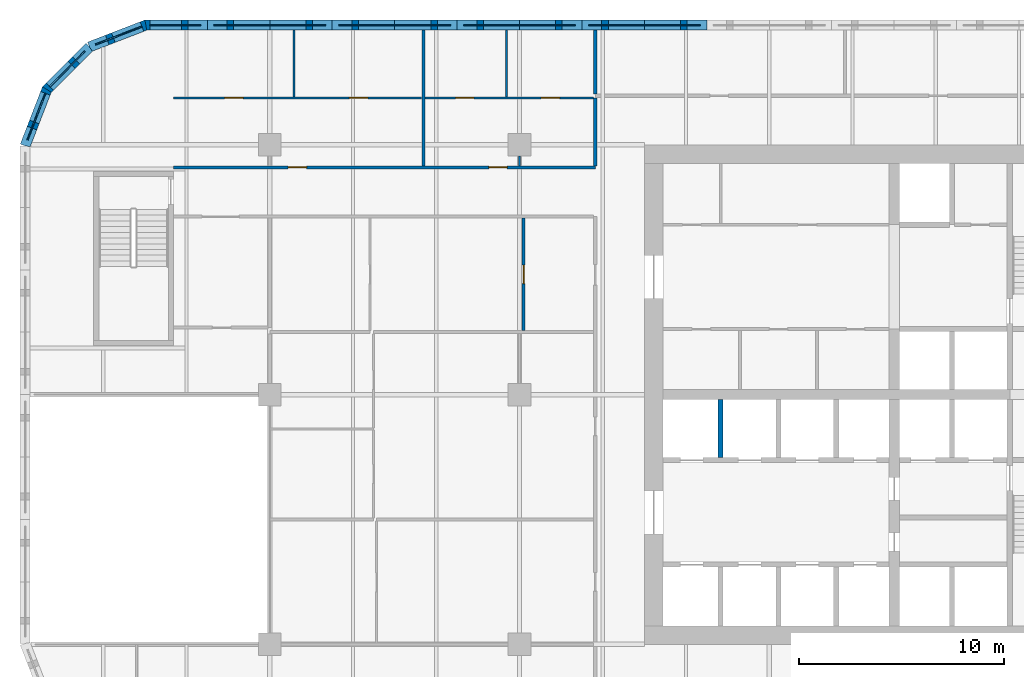
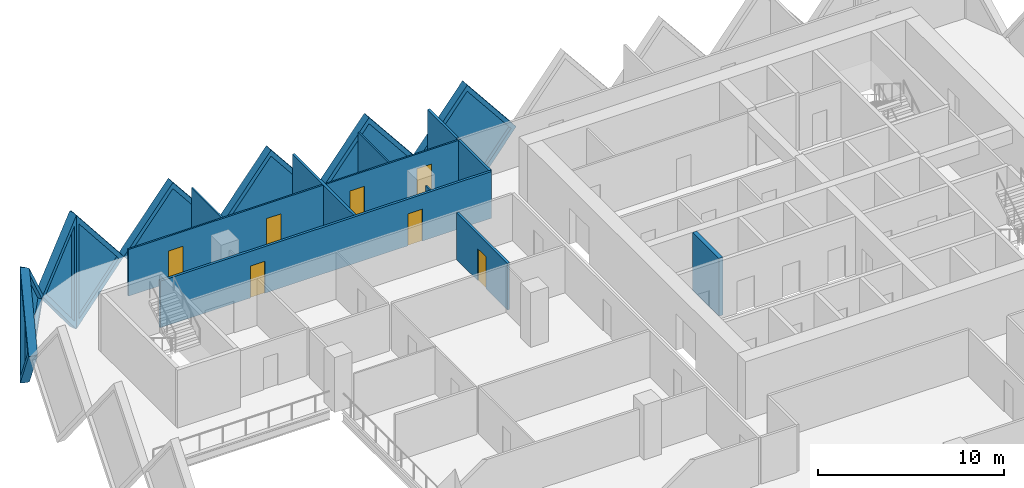
# One storey, part 8 of 18: 19 walls, 8 plates, 7 doors, 15 openings.
"""IFC4 building model written with IfcOpenShell, lengths in metres."""

from ifc_helpers import new_model, si_unit, direction, frame, frame_2d, origin, place, context, subcontext, project, spatial, polyline, rectangle, outline, extrude, faceted_brep, source, transform, mapped, material, layer, layer_set, type_object, element, fill, save


model = new_model("IFC4")

# Units and contexts
model_context = context("Model", 3, precision=1e-05, world=origin(), true_north=direction((0.0, 1.0)))
body_context = subcontext(model_context, "Body", "Model", "MODEL_VIEW")
ifc_project = project(units=[si_unit("LENGTHUNIT", "METRE"), si_unit("AREAUNIT", "SQUARE_METRE"), si_unit("VOLUMEUNIT", "CUBIC_METRE"), si_unit("PLANEANGLEUNIT", "RADIAN"), si_unit("MASSUNIT", "GRAM", prefix="KILO")], contexts=[model_context])

# Site, building, storey
site_placement = place(None, origin())
site = spatial("IfcSite", under=ifc_project, at=site_placement, CompositionType="ELEMENT")
building_placement = place(site_placement, origin())
building = spatial("IfcBuilding", under=site, at=building_placement, Name="Tessera Gate Towers", CompositionType="ELEMENT")
storey_placement = place(building_placement, frame((0.0, 0.0, 56.199951171875)))
storey = spatial("IfcBuildingStorey", under=building, at=storey_placement, Name="L13", CompositionType="ELEMENT", Elevation=56.199951171875)

# Wall
ifc_material_1 = material(Name="Concrete C40/50", Category="concrete")
ifc_layer_1 = layer(ifc_material_1, 0.25)
ifc_layer_set_1 = layer_set([ifc_layer_1], Name="CORE ENCLOSURE WALL 250")
wall_type_1 = type_object("IfcWallType", Name="CORE ENCLOSURE WALL 250", PredefinedType="SOLIDWALL", material=ifc_layer_set_1)
wall_1_placement = place(storey_placement, frame((34.22509765625, 33.52490234375, 0.0), z_axis=(0.0, 0.0, 1.0), x_axis=(0.0, 1.0, 0.0)))
element("IfcWall", 1, at=wall_1_placement, inside=storey, type_object=wall_type_1, Name="L13 shaft and stair enclosure wall", PredefinedType="SOLIDWALL", context=body_context, shape_type="SweptSolid", body=[
    extrude(rectangle(XDim=2.8251953125, YDim=0.25, at=frame_2d((1.41259765625, 0.0))), origin(), (0.0, 0.0, 1.0), 3.800048828125),
])

# Wall, openings, doors
ifc_material_2 = material(Name="Gypsum board on steel studs, mineral wool", Category="steel")
ifc_layer_2 = layer(ifc_material_2, 0.14990234375)
ifc_layer_set_2 = layer_set([ifc_layer_2], Name="CORRIDOR WALL 150")
wall_type_2 = type_object("IfcWallType", Name="CORRIDOR WALL 150", PredefinedType="PARTITIONING", material=ifc_layer_set_2)
wall_2_placement = place(storey_placement, frame((7.5, 47.699951171875, 0.0), z_axis=(0.0, 0.0, 1.0), x_axis=(1.0, 0.0, 0.0)))
wall_2 = element("IfcWall", 2, at=wall_2_placement, inside=storey, type_object=wall_type_2, Name="T1-L13-PW-038", PredefinedType="PARTITIONING", context=body_context, shape_type="SweptSolid", body=[
    extrude(rectangle(XDim=20.60009765625, YDim=0.14990234375, at=frame_2d((10.300048828125, 0.0))), origin(), (0.0, 0.0, 1.0), 3.067138671875),
])
shared_shape_1 = source(origin(), body_context, "Body", "SweptSolid", [
    extrude(rectangle(XDim=0.89990234375, YDim=2.10009765625, at=frame_2d((0.449951171875, 1.050048828125))), frame((0.0, 0.0849609375, 0.0), z_axis=(0.0, -1.0, 0.0), x_axis=(1.0, 0.0, 0.0)), (0.0, 0.0, 1.0), 0.169921875),
])
opening_1_placement = place(wall_2_placement, frame((15.40087890625, 0.0, 0.0)))
opening_1 = element("IfcOpeningElement", 3, at=opening_1_placement, cuts=wall_2, Name="Opening D890FD60-A05-03", PredefinedType="OPENING", context=body_context, shape_type="MappedRepresentation", body=[
    mapped(shared_shape_1, transform((0.0, 0.0, 0.0), scale=1.0)),
])
opening_2_placement = place(wall_2_placement, frame((5.60009765625, 0.0, 0.0)))
opening_2 = element("IfcOpeningElement", 4, at=opening_2_placement, cuts=wall_2, Name="Opening D890FD60-A05-10", PredefinedType="OPENING", context=body_context, shape_type="MappedRepresentation", body=[
    mapped(shared_shape_1, transform((0.0, 0.0, 0.0), scale=1.0)),
])
ifc_material_3 = material(Name="Timber door leaf in steel frame", Category="steel")
door_type_1 = type_object("IfcDoorType", Name="CORRIDOR DOOR 900 FD60", OperationType="NOTDEFINED", PredefinedType="DOOR", material=ifc_material_3)
shared_shape_2 = source(origin(), body_context, "Body", "SweptSolid", [
    extrude(rectangle(XDim=0.89990234375, YDim=2.10009765625, at=frame_2d((0.449951171875, 1.050048828125))), frame((0.0, 0.02490234375, 0.0), z_axis=(0.0, -1.0, 0.0), x_axis=(1.0, 0.0, 0.0)), (0.0, 0.0, 1.0), 0.050048828125),
])
door_1_placement = place(opening_1_placement, origin())
door_1 = element("IfcDoor", 5, at=door_1_placement, inside=storey, type_object=door_type_1, Name="T1-L13-PD-020", OperationType="SINGLE_SWING_RIGHT", OverallHeight=2.10009765625, OverallWidth=0.89990234375, PredefinedType="DOOR", context=body_context, shape_type="MappedRepresentation", body=[
    mapped(shared_shape_2, transform((0.0, 0.0, 0.0), scale=1.0)),
])
fill(opening_1, door_1)
door_2_placement = place(opening_2_placement, origin())
door_2 = element("IfcDoor", 6, at=door_2_placement, inside=storey, type_object=door_type_1, Name="T1-L13-PD-029", OperationType="SINGLE_SWING_LEFT", OverallHeight=2.10009765625, OverallWidth=0.89990234375, PredefinedType="DOOR", context=body_context, shape_type="MappedRepresentation", body=[
    mapped(shared_shape_2, transform((0.0, 0.0, 0.0), scale=1.0)),
])
fill(opening_2, door_2)

# Walls
wall_3_placement = place(storey_placement, frame((28.10009765625, 47.77587890625, 0.0), z_axis=(0.0, 0.0, 1.0), x_axis=(0.0, 1.0, 0.0)))
element("IfcWall", 7, at=wall_3_placement, inside=storey, type_object=wall_type_2, Name="T1-L13-PW-040", PredefinedType="PARTITIONING", context=body_context, shape_type="SweptSolid", body=[
    extrude(rectangle(XDim=3.32421875, YDim=0.14990234375, at=frame_2d((1.662109375, 0.0))), origin(), (0.0, 0.0, 1.0), 3.067138671875),
])
ifc_material_4 = material(Name="Gypsum board on steel studs", Category="steel")
ifc_layer_3 = layer(ifc_material_4, 0.10009765625)
ifc_layer_set_3 = layer_set([ifc_layer_3], Name="PARTITION 100")
wall_type_3 = type_object("IfcWallType", Name="PARTITION 100", PredefinedType="PARTITIONING", material=ifc_layer_set_3)
wall_4_placement = place(storey_placement, frame((24.39990234375, 48.25, 0.0), z_axis=(0.0, 0.0, 1.0), x_axis=(0.0, -1.0, 0.0)))
element("IfcWall", 8, at=wall_4_placement, inside=storey, type_object=wall_type_3, Name="T1-L13-PW-042", PredefinedType="PARTITIONING", context=body_context, shape_type="SweptSolid", body=[
    extrude(rectangle(XDim=0.47509765625, YDim=0.10009765625, at=frame_2d((0.237548828125, 0.0))), origin(), (0.0, 0.0, 1.0), 3.067138671875),
])

# Wall, openings, doors
wall_5_placement = place(storey_placement, frame((7.5, 51.10009765625, 0.0), z_axis=(0.0, 0.0, 1.0), x_axis=(1.0, 0.0, 0.0)))
wall_5 = element("IfcWall", 9, at=wall_5_placement, inside=storey, type_object=wall_type_3, Name="T1-L13-PW-043", PredefinedType="PARTITIONING", context=body_context, shape_type="SweptSolid", body=[
    extrude(rectangle(XDim=12.1240234375, YDim=0.10009765625, at=frame_2d((6.06201171875, 0.0))), origin(), (0.0, 0.0, 1.0), 3.067138671875),
])
shared_shape_3 = source(origin(), body_context, "Body", "SweptSolid", [
    extrude(rectangle(XDim=0.89990234375, YDim=2.10009765625, at=frame_2d((0.449951171875, 1.050048828125))), frame((0.0, 0.06005859375, 0.0), z_axis=(0.0, -1.0, 0.0), x_axis=(1.0, 0.0, 0.0)), (0.0, 0.0, 1.0), 0.1201171875),
])
opening_3_placement = place(wall_5_placement, frame((2.5, 0.0, 0.0)))
opening_3 = element("IfcOpeningElement", 10, at=opening_3_placement, cuts=wall_5, Name="Opening D190-A05-08", PredefinedType="OPENING", context=body_context, shape_type="MappedRepresentation", body=[
    mapped(shared_shape_3, transform((0.0, 0.0, 0.0), scale=1.0)),
])
opening_4_placement = place(wall_5_placement, frame((8.59375, 0.0, 0.0)))
opening_4 = element("IfcOpeningElement", 11, at=opening_4_placement, cuts=wall_5, Name="Opening D190-A05-10", PredefinedType="OPENING", context=body_context, shape_type="MappedRepresentation", body=[
    mapped(shared_shape_3, transform((0.0, 0.0, 0.0), scale=1.0)),
])
ifc_material_5 = material(Name="Timber door leaf in steel frame", Category="steel")
door_type_2 = type_object("IfcDoorType", Name="INTERNAL DOOR 900 NOT RATED", OperationType="NOTDEFINED", PredefinedType="DOOR", material=ifc_material_5)
door_3_placement = place(opening_3_placement, origin())
door_3 = element("IfcDoor", 12, at=door_3_placement, inside=storey, type_object=door_type_2, Name="T1-L13-PD-012", OperationType="SINGLE_SWING_LEFT", OverallHeight=2.10009765625, OverallWidth=0.89990234375, PredefinedType="DOOR", context=body_context, shape_type="MappedRepresentation", body=[
    mapped(shared_shape_2, transform((0.0, 0.0, 0.0), scale=1.0)),
])
fill(opening_3, door_3)
door_4_placement = place(opening_4_placement, origin())
door_4 = element("IfcDoor", 13, at=door_4_placement, inside=storey, type_object=door_type_2, Name="T1-L13-PD-016", OperationType="SINGLE_SWING_LEFT", OverallHeight=2.10009765625, OverallWidth=0.89990234375, PredefinedType="DOOR", context=body_context, shape_type="MappedRepresentation", body=[
    mapped(shared_shape_2, transform((0.0, 0.0, 0.0), scale=1.0)),
])
fill(opening_4, door_4)

wall_6_placement = place(storey_placement, frame((19.77587890625, 51.10009765625, 0.0), z_axis=(0.0, 0.0, 1.0), x_axis=(1.0, 0.0, 0.0)))
wall_6 = element("IfcWall", 14, at=wall_6_placement, inside=storey, type_object=wall_type_3, Name="T1-L13-PW-044", PredefinedType="PARTITIONING", context=body_context, shape_type="SweptSolid", body=[
    extrude(rectangle(XDim=8.248046875, YDim=0.10009765625, at=frame_2d((4.1240234375, 0.0))), origin(), (0.0, 0.0, 1.0), 3.067138671875),
])
opening_5_placement = place(wall_6_placement, frame((1.5, 0.0, 0.0)))
opening_5 = element("IfcOpeningElement", 15, at=opening_5_placement, cuts=wall_6, Name="Opening D190-A05-01", PredefinedType="OPENING", context=body_context, shape_type="MappedRepresentation", body=[
    mapped(shared_shape_3, transform((0.0, 0.0, 0.0), scale=1.0)),
])
opening_6_placement = place(wall_6_placement, frame((5.681884765625, 0.0, 0.0)))
opening_6 = element("IfcOpeningElement", 16, at=opening_6_placement, cuts=wall_6, Name="Opening D190-A05-02", PredefinedType="OPENING", context=body_context, shape_type="MappedRepresentation", body=[
    mapped(shared_shape_3, transform((0.0, 0.0, 0.0), scale=1.0)),
])
door_5_placement = place(opening_5_placement, origin())
door_5 = element("IfcDoor", 17, at=door_5_placement, inside=storey, type_object=door_type_2, Name="T1-L13-PD-002", OperationType="SINGLE_SWING_LEFT", OverallHeight=2.10009765625, OverallWidth=0.89990234375, PredefinedType="DOOR", context=body_context, shape_type="MappedRepresentation", body=[
    mapped(shared_shape_2, transform((0.0, 0.0, 0.0), scale=1.0)),
])
fill(opening_5, door_5)
door_6_placement = place(opening_6_placement, origin())
door_6 = element("IfcDoor", 18, at=door_6_placement, inside=storey, type_object=door_type_2, Name="T1-L13-PD-003", OperationType="SINGLE_SWING_LEFT", OverallHeight=2.10009765625, OverallWidth=0.89990234375, PredefinedType="DOOR", context=body_context, shape_type="MappedRepresentation", body=[
    mapped(shared_shape_2, transform((0.0, 0.0, 0.0), scale=1.0)),
])
fill(opening_6, door_6)

# Walls
for number, where, z_axis, x_axis, name in (
    (19, (13.39404296875, 51.15087890625, 0.0), (0.0, 0.0, 1.0), (0.0, 1.0, 0.0), "T1-L13-PW-045"),
    (20, (23.758056640625, 51.15087890625, 0.0), (0.0, 0.0, 1.0), (0.0, 1.0, 0.0), "T1-L13-PW-046"),
):
    element("IfcWall", number, at=place(storey_placement, frame(where, z_axis=z_axis, x_axis=x_axis)), inside=storey, type_object=wall_type_3, Name=name, PredefinedType="PARTITIONING", context=body_context, shape_type="SweptSolid", body=[
        extrude(rectangle(XDim=3.2490234375, YDim=0.10009765625, at=frame_2d((1.62451171875, 0.0))), origin(), (0.0, 0.0, 1.0), 3.067138671875),
    ])

# Wall, opening, door
ifc_material_6 = material(Name="Gypsum board on steel studs, mineral wool", Category="steel")
ifc_layer_4 = layer(ifc_material_6, 0.14990234375)
ifc_layer_set_4 = layer_set([ifc_layer_4], Name="TENANCY WALL 150")
wall_type_4 = type_object("IfcWallType", Name="TENANCY WALL 150", PredefinedType="PARTITIONING", material=ifc_layer_set_4)
wall_7_placement = place(storey_placement, frame((24.60009765625, 39.72607421875, 0.0), z_axis=(0.0, 0.0, 1.0), x_axis=(0.0, 1.0, 0.0)))
wall_7 = element("IfcWall", 21, at=wall_7_placement, inside=storey, type_object=wall_type_4, Name="T1-L13-PW-034", PredefinedType="PARTITIONING", context=body_context, shape_type="SweptSolid", body=[
    extrude(rectangle(XDim=5.498046875, YDim=0.14990234375, at=frame_2d((2.7490234375, 0.0))), origin(), (0.0, 0.0, 1.0), 3.067138671875),
])
opening_7_placement = place(wall_7_placement, frame((2.300048828125, 0.0, 0.0)))
opening_7 = element("IfcOpeningElement", 22, at=opening_7_placement, cuts=wall_7, Name="Opening D190-A05-06", PredefinedType="OPENING", context=body_context, shape_type="MappedRepresentation", body=[
    mapped(shared_shape_1, transform((0.0, 0.0, 0.0), scale=1.0)),
])
door_7_placement = place(opening_7_placement, origin())
door_7 = element("IfcDoor", 23, at=door_7_placement, inside=storey, type_object=door_type_2, Name="T1-L13-PD-009", OperationType="SINGLE_SWING_LEFT", OverallHeight=2.10009765625, OverallWidth=0.89990234375, PredefinedType="DOOR", context=body_context, shape_type="MappedRepresentation", body=[
    mapped(shared_shape_2, transform((0.0, 0.0, 0.0), scale=1.0)),
])
fill(opening_7, door_7)

# Walls
wall_8_placement = place(storey_placement, frame((19.699951171875, 47.77587890625, 0.0), z_axis=(0.0, 0.0, 1.0), x_axis=(0.0, 1.0, 0.0)))
element("IfcWall", 24, at=wall_8_placement, inside=storey, type_object=wall_type_4, Name="T1-L13-PW-039", PredefinedType="PARTITIONING", context=body_context, shape_type="SweptSolid", body=[
    extrude(rectangle(XDim=6.6240234375, YDim=0.14990234375, at=frame_2d((3.31201171875, 0.0))), origin(), (0.0, 0.0, 1.0), 3.067138671875),
])
wall_9_placement = place(storey_placement, frame((28.10009765625, 51.27587890625, 0.0), z_axis=(0.0, 0.0, 1.0), x_axis=(0.0, 1.0, 0.0)))
element("IfcWall", 25, at=wall_9_placement, inside=storey, type_object=wall_type_4, Name="T1-L13-PW-048", PredefinedType="PARTITIONING", context=body_context, shape_type="SweptSolid", body=[
    extrude(rectangle(XDim=3.1240234375, YDim=0.14990234375, at=frame_2d((1.56201171875, 0.0))), origin(), (0.0, 0.0, 1.0), 3.067138671875),
])

# Wall, opening, plate
ifc_material_7 = material(Name="Precast concrete C60/75 white", Category="concrete")
ifc_layer_5 = layer(ifc_material_7, 0.5)
ifc_layer_set_5 = layer_set([ifc_layer_5], Name="TS1 tessera")
wall_type_5 = type_object("IfcWallType", Name="TS1 tessera", PredefinedType="SOLIDWALL", material=ifc_layer_set_5)
shared_shape_4 = source(origin(), body_context, "Body", "Brep", [
    faceted_brep([(3.050048828125, -0.25, 0.0), (6.099853515625, -0.25, 3.7998046875), (6.099853515625, -0.25, 3.80029296875), (3.050048828125, -0.25, 7.60009765625), (0.0, -0.25, 3.800048828125), (0.0, 0.25, 3.800048828125), (3.050048828125, 0.25, 7.60009765625), (6.099853515625, 0.25, 3.80029296875), (6.099853515625, 0.25, 3.7998046875), (3.050048828125, 0.25, 0.0)], [[[0, 1, 2, 3, 4]], [[5, 6, 7, 8, 9]], [[9, 8, 1, 0]], [[7, 6, 3, 2]], [[6, 5, 4, 3]], [[5, 9, 0, 4]], [[1, 8, 7, 2]]]),
])
wall_10_placement = place(storey_placement, frame((27.449951171875, 54.64990234375, -3.800048828125), z_axis=(0.0, 0.0, 1.0), x_axis=(-1.0, 0.0, 0.0)))
wall_10 = element("IfcWall", 26, at=wall_10_placement, inside=storey, type_object=wall_type_5, Name="Precast tessera T1 TS1-0198", PredefinedType="SOLIDWALL", context=body_context, shape_type="MappedRepresentation", body=[
    mapped(shared_shape_4, transform((0.0, 0.0, 0.0), scale=1.0)),
])
shared_shape_5 = source(origin(), body_context, "Body", "SweptSolid", [
    extrude(outline(polyline([(3.050048828125, 0.3994140625), (5.779541015625, 3.800048828125), (3.050048828125, 7.20068359375), (0.320556640625, 3.800048828125), (3.050048828125, 0.3994140625)])), frame((0.0, 0.260009765625, 0.0), z_axis=(0.0, -1.0, 0.0), x_axis=(1.0, 0.0, 0.0)), (0.0, 0.0, 1.0), 0.52001953125),
])
opening_8_placement = place(wall_10_placement, origin())
opening_8 = element("IfcOpeningElement", 27, at=opening_8_placement, cuts=wall_10, Name="Opening T1-PL2-0400", PredefinedType="OPENING", context=body_context, shape_type="MappedRepresentation", body=[
    mapped(shared_shape_5, transform((0.0, 0.0, 0.0), scale=1.0)),
])
ifc_material_8 = material(Name="Low-e laminated glass", Category="glass")
ifc_layer_6 = layer(ifc_material_8, 0.06005859375)
ifc_layer_set_6 = layer_set([ifc_layer_6], Name="PL2 rhombic pane")
plate_type = type_object("IfcPlateType", Name="PL2 rhombic pane", PredefinedType="SHEET", material=ifc_layer_set_6)
shared_shape_6 = source(origin(), body_context, "Body", "SweptSolid", [
    extrude(outline(polyline([(3.050048828125, 0.3994140625), (5.779541015625, 3.800048828125), (3.050048828125, 7.20068359375), (0.320556640625, 3.800048828125), (3.050048828125, 0.3994140625)])), frame((0.0, 0.030029296875, 0.0), z_axis=(0.0, -1.0, 0.0), x_axis=(1.0, 0.0, 0.0)), (0.0, 0.0, 1.0), 0.06005859375),
])
plate_1_placement = place(opening_8_placement, origin())
plate_1 = element("IfcPlate", 28, at=plate_1_placement, inside=storey, type_object=plate_type, Name="Glass pane T1 PL2-0400", PredefinedType="SHEET", context=body_context, shape_type="MappedRepresentation", body=[
    mapped(shared_shape_6, transform((0.0, 0.0, 0.0), scale=1.0)),
])
fill(opening_8, plate_1)

shared_shape_7 = source(origin(), body_context, "Body", "SweptSolid", [
    extrude(outline(polyline([(3.050048828125, 0.0), (6.10009765625, 3.800048828125), (3.050048828125, 7.60009765625), (0.0, 3.800048828125), (3.050048828125, 0.0)])), frame((0.0, 0.25, 0.0), z_axis=(0.0, -1.0, 0.0), x_axis=(1.0, 0.0, 0.0)), (0.0, 0.0, 1.0), 0.5),
])
wall_11_placement = place(storey_placement, frame((33.550048828125, 54.64990234375, -3.800048828125), z_axis=(0.0, 0.0, 1.0), x_axis=(-1.0, 0.0, 0.0)))
wall_11 = element("IfcWall", 29, at=wall_11_placement, inside=storey, type_object=wall_type_5, Name="Precast tessera T1 TS1-0197", PredefinedType="SOLIDWALL", context=body_context, shape_type="MappedRepresentation", body=[
    mapped(shared_shape_7, transform((0.0, 0.0, 0.0), scale=1.0)),
])
opening_9_placement = place(wall_11_placement, origin())
opening_9 = element("IfcOpeningElement", 30, at=opening_9_placement, cuts=wall_11, Name="Opening T1-PL2-0399", PredefinedType="OPENING", context=body_context, shape_type="MappedRepresentation", body=[
    mapped(shared_shape_5, transform((0.0, 0.0, 0.0), scale=1.0)),
])
plate_2_placement = place(opening_9_placement, origin())
plate_2 = element("IfcPlate", 31, at=plate_2_placement, inside=storey, type_object=plate_type, Name="Glass pane T1 PL2-0399", PredefinedType="SHEET", context=body_context, shape_type="MappedRepresentation", body=[
    mapped(shared_shape_6, transform((0.0, 0.0, 0.0), scale=1.0)),
])
fill(opening_9, plate_2)

wall_12_placement = place(storey_placement, frame((21.35009765625, 54.64990234375, -3.800048828125), z_axis=(0.0, 0.0, 1.0), x_axis=(-1.0, 0.0, 0.0)))
wall_12 = element("IfcWall", 32, at=wall_12_placement, inside=storey, type_object=wall_type_5, Name="Precast tessera T1 TS1-0199", PredefinedType="SOLIDWALL", context=body_context, shape_type="MappedRepresentation", body=[
    mapped(shared_shape_7, transform((0.0, 0.0, 0.0), scale=1.0)),
])
opening_10_placement = place(wall_12_placement, origin())
opening_10 = element("IfcOpeningElement", 33, at=opening_10_placement, cuts=wall_12, Name="Opening T1-PL2-0401", PredefinedType="OPENING", context=body_context, shape_type="MappedRepresentation", body=[
    mapped(shared_shape_5, transform((0.0, 0.0, 0.0), scale=1.0)),
])
plate_3_placement = place(opening_10_placement, origin())
plate_3 = element("IfcPlate", 34, at=plate_3_placement, inside=storey, type_object=plate_type, Name="Glass pane T1 PL2-0401", PredefinedType="SHEET", context=body_context, shape_type="MappedRepresentation", body=[
    mapped(shared_shape_6, transform((0.0, 0.0, 0.0), scale=1.0)),
])
fill(opening_10, plate_3)

wall_13_placement = place(storey_placement, frame((15.25, 54.64990234375, -3.800048828125), z_axis=(0.0, 0.0, 1.0), x_axis=(-1.0, 0.0, 0.0)))
wall_13 = element("IfcWall", 35, at=wall_13_placement, inside=storey, type_object=wall_type_5, Name="Precast tessera T1 TS1-0200", PredefinedType="SOLIDWALL", context=body_context, shape_type="MappedRepresentation", body=[
    mapped(shared_shape_7, transform((0.0, 0.0, 0.0), scale=1.0)),
])
opening_11_placement = place(wall_13_placement, origin())
opening_11 = element("IfcOpeningElement", 36, at=opening_11_placement, cuts=wall_13, Name="Opening T1-PL2-0402", PredefinedType="OPENING", context=body_context, shape_type="MappedRepresentation", body=[
    mapped(shared_shape_5, transform((0.0, 0.0, 0.0), scale=1.0)),
])
plate_4_placement = place(opening_11_placement, origin())
plate_4 = element("IfcPlate", 37, at=plate_4_placement, inside=storey, type_object=plate_type, Name="Glass pane T1 PL2-0402", PredefinedType="SHEET", context=body_context, shape_type="MappedRepresentation", body=[
    mapped(shared_shape_6, transform((0.0, 0.0, 0.0), scale=1.0)),
])
fill(opening_11, plate_4)

ifc_material_9 = material(Name="Precast concrete C60/75 white", Category="concrete")
ifc_layer_7 = layer(ifc_material_9, 0.5)
ifc_layer_set_7 = layer_set([ifc_layer_7], Name="TS3 corner tessera")
wall_type_6 = type_object("IfcWallType", Name="TS3 corner tessera", PredefinedType="SOLIDWALL", material=ifc_layer_set_7)
shared_shape_8 = source(origin(), body_context, "Body", "Brep", [
    faceted_brep([(3.00341796875, -0.25, 0.0), (3.050048828125, -0.25, 0.06005859375), (3.050048828125, -0.25, 7.5400390625), (3.00341796875, -0.25, 7.60009765625), (0.0, -0.25, 3.800048828125), (0.0, 0.25, 3.800048828125), (2.956787109375, 0.25, 7.541259765625), (2.956787109375, 0.25, 0.058837890625), (3.00341796875, 0.000244140625, 0.0), (3.00341796875, 0.000244140625, 7.60009765625)], [[[0, 1, 2, 3, 4]], [[5, 6, 7]], [[1, 0, 8]], [[9, 3, 2]], [[6, 5, 4, 3, 9]], [[5, 7, 8, 0, 4]], [[1, 8, 7, 6, 9, 2]]]),
])
wall_14_placement = place(storey_placement, frame((9.14990234375, 54.64990234375, -3.800048828125), z_axis=(0.0, 0.0, 1.0), x_axis=(-1.0, 0.0, 0.0)))
wall_14 = element("IfcWall", 38, at=wall_14_placement, inside=storey, type_object=wall_type_6, Name="Precast corner tessera T1 TS3-0275", PredefinedType="SOLIDWALL", context=body_context, shape_type="MappedRepresentation", body=[
    mapped(shared_shape_8, transform((0.0, 0.0, 0.0), scale=1.0)),
])
shared_shape_9 = source(origin(), body_context, "Body", "SweptSolid", [
    extrude(outline(polyline([(2.803466796875, 6.94384765625), (0.318603515625, 3.800048828125), (2.803466796875, 0.65625), (2.803466796875, 6.94384765625)])), frame((0.0, 0.260009765625, 0.0), z_axis=(0.0, -1.0, 0.0), x_axis=(1.0, 0.0, 0.0)), (0.0, 0.0, 1.0), 0.52001953125),
])
opening_12_placement = place(wall_14_placement, origin())
opening_12 = element("IfcOpeningElement", 39, at=opening_12_placement, cuts=wall_14, Name="Opening T1-PL2-0403", PredefinedType="OPENING", context=body_context, shape_type="MappedRepresentation", body=[
    mapped(shared_shape_9, transform((0.0, 0.0, 0.0), scale=1.0)),
])
shared_shape_10 = source(origin(), body_context, "Body", "SweptSolid", [
    extrude(outline(polyline([(2.803466796875, 6.94384765625), (0.318603515625, 3.800048828125), (2.803466796875, 0.65625), (2.803466796875, 6.94384765625)])), frame((0.0, 0.030029296875, 0.0), z_axis=(0.0, -1.0, 0.0), x_axis=(1.0, 0.0, 0.0)), (0.0, 0.0, 1.0), 0.06005859375),
])
plate_5_placement = place(opening_12_placement, origin())
plate_5 = element("IfcPlate", 40, at=plate_5_placement, inside=storey, type_object=plate_type, Name="Glass pane T1 PL2-0403", PredefinedType="SHEET", context=body_context, shape_type="MappedRepresentation", body=[
    mapped(shared_shape_10, transform((0.0, 0.0, 0.0), scale=1.0)),
])
fill(opening_12, plate_5)

shared_shape_11 = source(origin(), body_context, "Body", "Brep", [
    faceted_brep([(0.046630859375, -0.25, 0.0), (2.9970703125, -0.25, 3.800048828125), (0.046630859375, -0.25, 7.60009765625), (0.0, -0.25, 7.541259765625), (0.0, -0.25, 0.058837890625), (0.09326171875, 0.25, 7.5400390625), (2.9443359375, 0.25, 3.8681640625), (2.9443359375, 0.25, 3.73193359375), (0.09326171875, 0.25, 0.06005859375), (2.9970703125, 0.00048828125, 3.800048828125), (0.046630859375, 0.0, 0.0), (0.046630859375, 0.0, 7.60009765625)], [[[0, 1, 2, 3, 4]], [[5, 6, 7, 8]], [[8, 7, 9, 1, 0, 10]], [[6, 5, 11, 2, 1, 9]], [[3, 2, 11]], [[10, 0, 4]], [[8, 10, 4, 3, 11, 5]], [[9, 7, 6]]]),
])
wall_15_placement = place(storey_placement, frame((6.18994140625, 54.666748046875, -3.800048828125), z_axis=(0.0, 0.0, 1.0), x_axis=(-0.932990326376, -0.359901446078, 0.0)))
wall_15 = element("IfcWall", 41, at=wall_15_placement, inside=storey, type_object=wall_type_6, Name="Precast corner tessera T1 TS3-0276", PredefinedType="SOLIDWALL", context=body_context, shape_type="MappedRepresentation", body=[
    mapped(shared_shape_11, transform((0.0, 0.0, 0.0), scale=1.0)),
])
shared_shape_12 = source(origin(), body_context, "Body", "SweptSolid", [
    extrude(outline(polyline([(0.24658203125, 0.665283203125), (2.6806640625, 3.800048828125), (0.24658203125, 6.934814453125), (0.24658203125, 0.665283203125)])), frame((0.0, 0.260009765625, 0.0), z_axis=(0.0, -1.0, 0.0), x_axis=(1.0, 0.0, 0.0)), (0.0, 0.0, 1.0), 0.52001953125),
])
opening_13_placement = place(wall_15_placement, origin())
opening_13 = element("IfcOpeningElement", 42, at=opening_13_placement, cuts=wall_15, Name="Opening T1-PL2-0404", PredefinedType="OPENING", context=body_context, shape_type="MappedRepresentation", body=[
    mapped(shared_shape_12, transform((0.0, 0.0, 0.0), scale=1.0)),
])
shared_shape_13 = source(origin(), body_context, "Body", "SweptSolid", [
    extrude(outline(polyline([(0.24658203125, 0.665283203125), (2.6806640625, 3.800048828125), (0.24658203125, 6.934814453125), (0.24658203125, 0.665283203125)])), frame((0.0, 0.030029296875, 0.0), z_axis=(0.0, -1.0, 0.0), x_axis=(1.0, 0.0, 0.0)), (0.0, 0.0, 1.0), 0.06005859375),
])
plate_6_placement = place(opening_13_placement, origin())
plate_6 = element("IfcPlate", 43, at=plate_6_placement, inside=storey, type_object=plate_type, Name="Glass pane T1 PL2-0404", PredefinedType="SHEET", context=body_context, shape_type="MappedRepresentation", body=[
    mapped(shared_shape_13, transform((0.0, 0.0, 0.0), scale=1.0)),
])
fill(opening_13, plate_6)

shared_shape_14 = source(origin(), body_context, "Body", "Brep", [
    faceted_brep([(0.052978515625, -0.25, 0.0), (3.00341796875, -0.25, 3.800048828125), (0.052978515625, -0.25, 7.60009765625), (0.0, -0.25, 7.53173828125), (0.0, -0.25, 0.068359375), (0.10595703125, 0.25, 7.531982421875), (2.95703125, 0.25, 3.85986328125), (2.95703125, 0.25, 3.740234375), (0.10595703125, 0.25, 0.068115234375), (3.00341796875, 0.00048828125, 3.800048828125), (0.052978515625, 0.0, 0.0), (0.052978515625, 0.0, 7.60009765625)], [[[0, 1, 2, 3, 4]], [[5, 6, 7, 8]], [[8, 7, 9, 1, 0, 10]], [[6, 5, 11, 2, 1, 9]], [[3, 2, 11]], [[10, 0, 4]], [[8, 10, 4, 3, 11, 5]], [[9, 7, 6]]]),
])
wall_16_placement = place(storey_placement, frame((1.3310546875, 51.5556640625, -3.800048828125), z_axis=(0.0, 0.0, 1.0), x_axis=(-0.35992665181, -0.932980602862, 0.0)))
wall_16 = element("IfcWall", 44, at=wall_16_placement, inside=storey, type_object=wall_type_6, Name="Precast corner tessera T1 TS3-0278", PredefinedType="SOLIDWALL", context=body_context, shape_type="MappedRepresentation", body=[
    mapped(shared_shape_14, transform((0.0, 0.0, 0.0), scale=1.0)),
])
shared_shape_15 = source(origin(), body_context, "Body", "SweptSolid", [
    extrude(outline(polyline([(0.2529296875, 0.665283203125), (2.68701171875, 3.800048828125), (0.2529296875, 6.934814453125), (0.2529296875, 0.665283203125)])), frame((0.0, 0.260009765625, 0.0), z_axis=(0.0, -1.0, 0.0), x_axis=(1.0, 0.0, 0.0)), (0.0, 0.0, 1.0), 0.52001953125),
])
opening_14_placement = place(wall_16_placement, origin())
opening_14 = element("IfcOpeningElement", 45, at=opening_14_placement, cuts=wall_16, Name="Opening T1-PL2-0406", PredefinedType="OPENING", context=body_context, shape_type="MappedRepresentation", body=[
    mapped(shared_shape_15, transform((0.0, 0.0, 0.0), scale=1.0)),
])
shared_shape_16 = source(origin(), body_context, "Body", "SweptSolid", [
    extrude(outline(polyline([(0.2529296875, 0.665283203125), (2.68701171875, 3.800048828125), (0.2529296875, 6.934814453125), (0.2529296875, 0.665283203125)])), frame((0.0, 0.030029296875, 0.0), z_axis=(0.0, -1.0, 0.0), x_axis=(1.0, 0.0, 0.0)), (0.0, 0.0, 1.0), 0.06005859375),
])
plate_7_placement = place(opening_14_placement, origin())
plate_7 = element("IfcPlate", 46, at=plate_7_placement, inside=storey, type_object=plate_type, Name="Glass pane T1 PL2-0406", PredefinedType="SHEET", context=body_context, shape_type="MappedRepresentation", body=[
    mapped(shared_shape_16, transform((0.0, 0.0, 0.0), scale=1.0)),
])
fill(opening_14, plate_7)

shared_shape_17 = source(origin(), body_context, "Body", "Brep", [
    faceted_brep([(2.944091796875, -0.25, 0.0), (2.9970703125, -0.25, 0.068115234375), (2.9970703125, -0.25, 7.531982421875), (2.944091796875, -0.25, 7.60009765625), (0.0, -0.25, 3.800048828125), (0.052978515625, 0.25, 3.868408203125), (2.89111328125, 0.25, 7.531982421875), (2.89111328125, 0.25, 0.068115234375), (0.052978515625, 0.25, 3.731689453125), (2.944091796875, 0.000244140625, 0.0), (2.944091796875, 0.000244140625, 7.60009765625), (0.0, 0.0, 3.800048828125)], [[[0, 1, 2, 3, 4]], [[5, 6, 7, 8]], [[1, 0, 9]], [[10, 3, 2]], [[6, 5, 11, 4, 3, 10]], [[8, 7, 9, 0, 4, 11]], [[8, 11, 5]], [[1, 9, 7, 6, 10, 2]]]),
])
wall_17_placement = place(storey_placement, frame((3.393798828125, 53.588134765625, -3.800048828125), z_axis=(0.0, 0.0, 1.0), x_axis=(-0.707106781187, -0.707106781187, 0.0)))
wall_17 = element("IfcWall", 47, at=wall_17_placement, inside=storey, type_object=wall_type_6, Name="Precast corner tessera T1 TS3-0277", PredefinedType="SOLIDWALL", context=body_context, shape_type="MappedRepresentation", body=[
    mapped(shared_shape_17, transform((0.0, 0.0, 0.0), scale=1.0)),
])
shared_shape_18 = source(origin(), body_context, "Body", "SweptSolid", [
    extrude(outline(polyline([(2.744140625, 6.933837890625), (0.316162109375, 3.800048828125), (2.744140625, 0.66650390625), (2.744140625, 6.933837890625)])), frame((0.0, 0.260009765625, 0.0), z_axis=(0.0, -1.0, 0.0), x_axis=(1.0, 0.0, 0.0)), (0.0, 0.0, 1.0), 0.52001953125),
])
opening_15_placement = place(wall_17_placement, origin())
opening_15 = element("IfcOpeningElement", 48, at=opening_15_placement, cuts=wall_17, Name="Opening T1-PL2-0405", PredefinedType="OPENING", context=body_context, shape_type="MappedRepresentation", body=[
    mapped(shared_shape_18, transform((0.0, 0.0, 0.0), scale=1.0)),
])
shared_shape_19 = source(origin(), body_context, "Body", "SweptSolid", [
    extrude(outline(polyline([(2.744140625, 6.933837890625), (0.316162109375, 3.800048828125), (2.744140625, 0.66650390625), (2.744140625, 6.933837890625)])), frame((0.0, 0.030029296875, 0.0), z_axis=(0.0, -1.0, 0.0), x_axis=(1.0, 0.0, 0.0)), (0.0, 0.0, 1.0), 0.06005859375),
])
plate_8_placement = place(opening_15_placement, origin())
plate_8 = element("IfcPlate", 49, at=plate_8_placement, inside=storey, type_object=plate_type, Name="Glass pane T1 PL2-0405", PredefinedType="SHEET", context=body_context, shape_type="MappedRepresentation", body=[
    mapped(shared_shape_19, transform((0.0, 0.0, 0.0), scale=1.0)),
])
fill(opening_15, plate_8)

save(model, "model.ifc")
